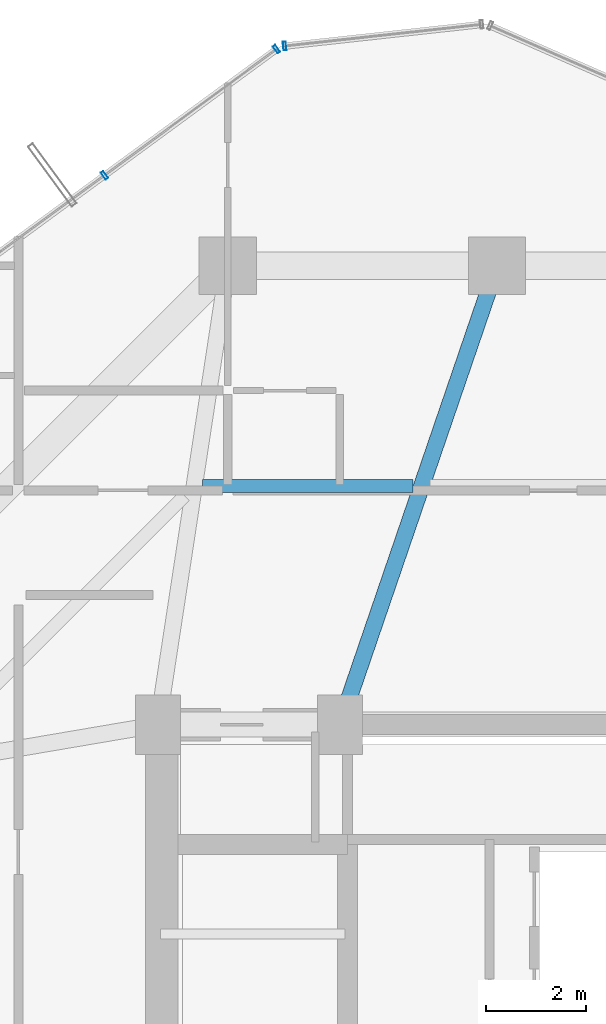
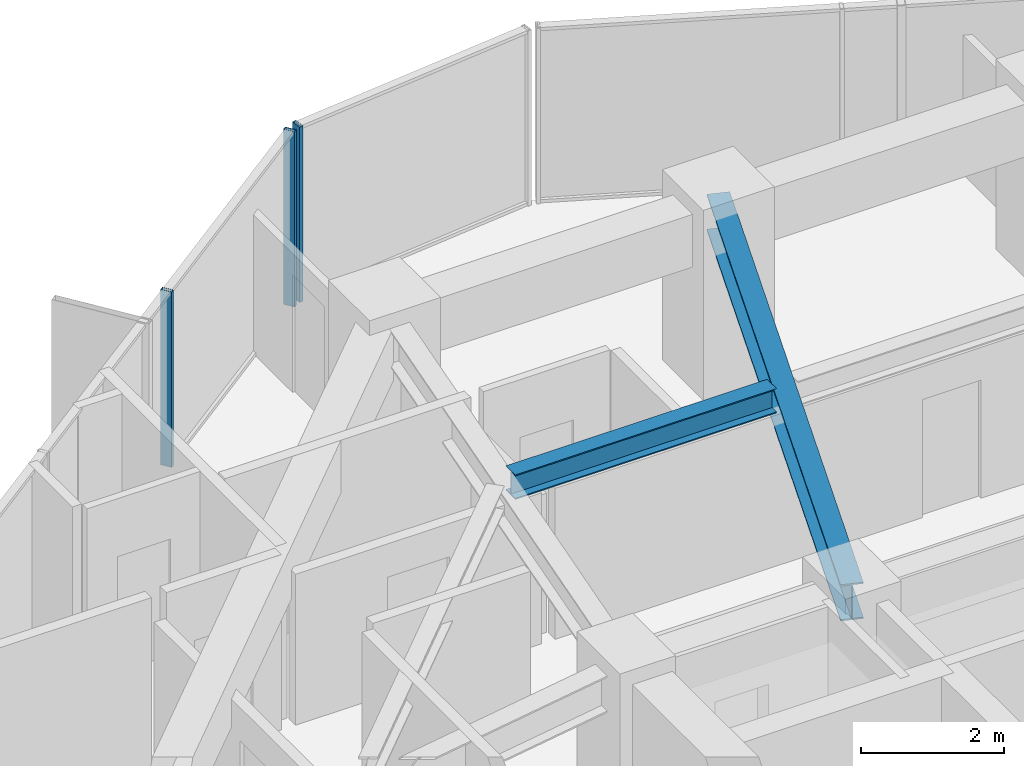
# One storey, part 21 of 34: 3 members, 2 beams, 2 elements without a shape of their own.
"""IFC4 building model written with IfcOpenShell, lengths in metres."""

from ifc_helpers import new_model, si_unit, direction, frame, origin, origin_2d, place, context, subcontext, project, spatial, hollow_rectangle, i_section, extrude, source, transform, mapped, material, layer, layer_set, material_profile, profile_set, type_object, element, aggregate, save


model = new_model("IFC4")

# Units and contexts
model_context = context("Model", 3, precision=1e-05, world=origin(), true_north=direction((0.0, 1.0)))
body_context = subcontext(model_context, "Body", "Model", "MODEL_VIEW")
ifc_project = project(units=[si_unit("LENGTHUNIT", "METRE"), si_unit("AREAUNIT", "SQUARE_METRE"), si_unit("VOLUMEUNIT", "CUBIC_METRE"), si_unit("PLANEANGLEUNIT", "RADIAN"), si_unit("MASSUNIT", "GRAM", prefix="KILO")], contexts=[model_context])

# Site, building, storey
site_placement = place(None, origin())
site = spatial("IfcSite", under=ifc_project, at=site_placement, CompositionType="ELEMENT")
building_placement = place(site_placement, origin())
building = spatial("IfcBuilding", under=site, at=building_placement, Name="Veraguas Prism Commons", CompositionType="ELEMENT")
storey_placement = place(building_placement, frame((0.0, 0.0, 149.0)))
storey = spatial("IfcBuildingStorey", under=building, at=storey_placement, Name="L42", CompositionType="ELEMENT", Elevation=149.0)

# Beams
ifc_material_1 = material(Name="Steel ASTM A992 Grade 50", Category="steel")
ifc_material_profile_1 = material_profile(ifc_material_1, i_section(OverallWidth=0.260986328125, OverallDepth=0.419921875, WebThickness=0.01171875, FlangeThickness=0.019287109375, at=origin_2d()), Name="W410X114")
ifc_profile_set_1 = profile_set([ifc_material_profile_1], Name="Steel ASTM A992 Grade 50")
beam_type_1 = type_object("IfcBeamType", Name="Lower Floor Joist W410x114", PredefinedType="JOIST", material=ifc_profile_set_1)
beam_1_placement = place(storey_placement, frame((22.31689453125, 35.783935546875, 2.7900390625), z_axis=(-1.0, 0.0, 0.0), x_axis=(0.0, -1.0, 0.0)))
element("IfcBeam", 1, at=beam_1_placement, inside=storey, type_object=beam_type_1, Name="Composite Floor Joist L42-JS05", PredefinedType="JOIST", context=body_context, shape_type="SweptSolid", body=[
    extrude(i_section(OverallWidth=0.260986328125, OverallDepth=0.419921875, WebThickness=0.01171875, FlangeThickness=0.019287109375, at=origin_2d()), origin(), (0.0, 0.0, 1.0), 4.22509765625),
])
ifc_material_profile_2 = material_profile(ifc_material_1, i_section(OverallWidth=0.327880859375, OverallDepth=0.6220703125, WebThickness=0.015380859375, FlangeThickness=0.0244140625, at=origin_2d()), Name="W610X195")
ifc_profile_set_2 = profile_set([ifc_material_profile_2], Name="Steel ASTM A992 Grade 50")
beam_type_2 = type_object("IfcBeamType", Name="Zone 2 Radial Girder W610x195", PredefinedType="BEAM", material=ifc_profile_set_2)
beam_2_placement = place(storey_placement, frame((24.0, 40.199951171875, 2.68896484375), z_axis=(-0.323922482989, -0.946083624747, 0.0), x_axis=(0.946083624747, -0.323922482989, 0.0)))
element("IfcBeam", 2, at=beam_2_placement, inside=storey, type_object=beam_type_2, Name="Radial Floor Girder L42-RD05", PredefinedType="BEAM", context=body_context, shape_type="SweptSolid", body=[
    extrude(i_section(OverallWidth=0.327880859375, OverallDepth=0.6220703125, WebThickness=0.015380859375, FlangeThickness=0.0244140625, at=origin_2d()), origin(), (0.0, 0.0, 1.0), 9.724365234375),
])

# Curtain wall, members
ifc_material_2 = material(Name="Anodised aluminium EN AW-6063 T6", Category="aluminium")
ifc_layer = layer(ifc_material_2, 0.169921875, Name="Unitised Flush Curtain Wall Zone 2", Category="aluminium")
ifc_layer_set = layer_set([ifc_layer], Name="Anodised aluminium EN AW-6063 T6")
curtain_wall_type = type_object("IfcCurtainWallType", Name="Unitised Flush Curtain Wall Zone 2", PredefinedType="NOTDEFINED", material=ifc_layer_set)
curtain_wall_1_placement = place(storey_placement, origin())
curtain_wall_1 = element("IfcCurtainWall", 3, at=curtain_wall_1_placement, inside=storey, type_object=curtain_wall_type, Name="Tower Facade Curtain Wall L42-F2", PredefinedType="NOTDEFINED")
ifc_material_profile_3 = material_profile(ifc_material_2, hollow_rectangle(XDim=0.06005859375, YDim=0.169921875, WallThickness=0.00390625, at=origin_2d()), Name="AL60X170X4")
ifc_profile_set_3 = profile_set([ifc_material_profile_3], Name="Anodised aluminium EN AW-6063 T6")
member_type = type_object("IfcMemberType", Name="Curtain Wall Mullion Lower AL 60x170x4", PredefinedType="MULLION", material=ifc_profile_set_3)
shared_shape = source(origin(), body_context, "Body", "SweptSolid", [
    extrude(hollow_rectangle(XDim=0.06005859375, YDim=0.169921875, WallThickness=0.00390625, at=origin_2d()), origin(), (0.0, 0.0, 1.0), 3.0),
])
member_1_placement = place(storey_placement, frame((19.57861328125, 44.54638671875, 0.0), z_axis=(0.0, 0.0, 1.0), x_axis=(-0.806343453529, -0.591447575826, 0.0)))
member_1 = element("IfcMember", 4, at=member_1_placement, type_object=member_type, Name="CW-Z2 Mullion 1", PredefinedType="MULLION", context=body_context, shape_type="MappedRepresentation", body=[
    mapped(shared_shape, transform((0.0, 0.0, 0.0), scale=1.0)),
])
member_2_placement = place(storey_placement, frame((16.128662109375, 42.015869140625, 0.0), z_axis=(0.0, 0.0, 1.0), x_axis=(-0.806343453529, -0.591447575826, 0.0)))
member_2 = element("IfcMember", 5, at=member_2_placement, type_object=member_type, Name="CW-Z2 Mullion 2", PredefinedType="MULLION", context=body_context, shape_type="MappedRepresentation", body=[
    mapped(shared_shape, transform((0.0, 0.0, 0.0), scale=1.0)),
])
aggregate(curtain_wall_1, [member_1, member_2])

# Curtain wall, member
curtain_wall_2_placement = place(storey_placement, origin())
curtain_wall_2 = element("IfcCurtainWall", 6, at=curtain_wall_2_placement, inside=storey, type_object=curtain_wall_type, Name="Chamfer Curtain Wall L42-C2", PredefinedType="NOTDEFINED")
member_3_placement = place(storey_placement, frame((19.74072265625, 44.609375, 0.0), z_axis=(0.0, 0.0, 1.0), x_axis=(-0.994034276859, -0.10906812747, 0.0)))
member_3 = element("IfcMember", 7, at=member_3_placement, type_object=member_type, Name="CW-Z2 Mullion 2", PredefinedType="MULLION", context=body_context, shape_type="MappedRepresentation", body=[
    mapped(shared_shape, transform((0.0, 0.0, 0.0), scale=1.0)),
])
aggregate(curtain_wall_2, [member_3])

save(model, "model.ifc")
